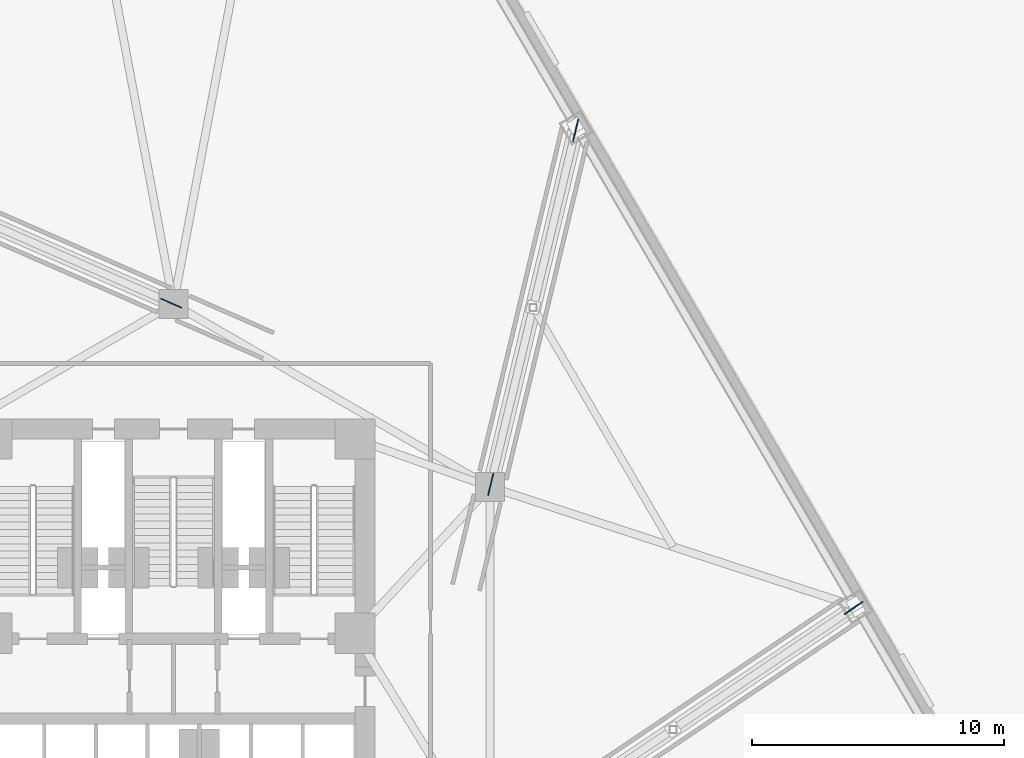
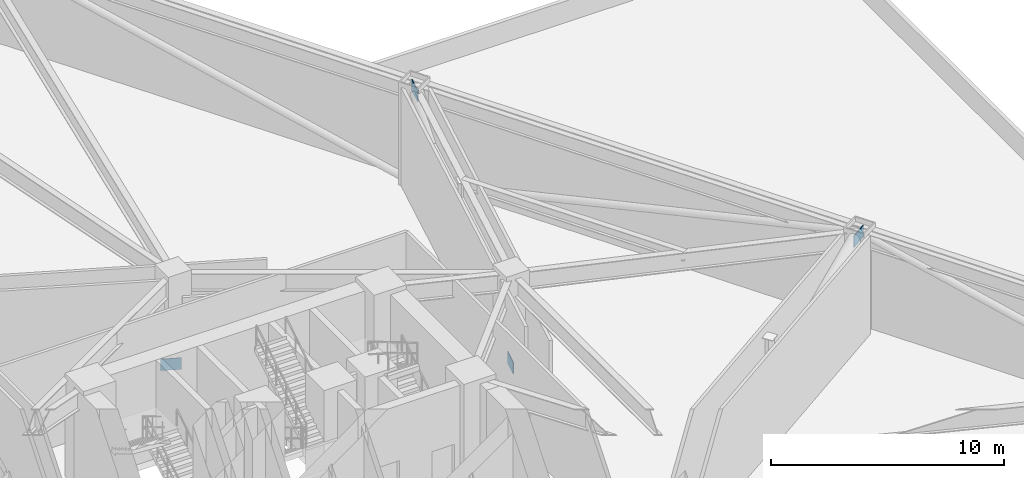
# One storey, part 12 of 23: 4 plates.
"""IFC4 building model written with IfcOpenShell, lengths in metres."""

from ifc_helpers import new_model, si_unit, direction, frame, origin, origin_2d, place, context, subcontext, project, spatial, rectangle, extrude, material, layer, layer_set, type_object, element, save


model = new_model("IFC4")

# Units and contexts
model_context = context("Model", 3, precision=1e-05, world=origin(), true_north=direction((0.0, 1.0)))
body_context = subcontext(model_context, "Body", "Model", "MODEL_VIEW")
ifc_project = project(units=[si_unit("LENGTHUNIT", "METRE"), si_unit("AREAUNIT", "SQUARE_METRE"), si_unit("VOLUMEUNIT", "CUBIC_METRE"), si_unit("PLANEANGLEUNIT", "RADIAN"), si_unit("MASSUNIT", "GRAM", prefix="KILO")], contexts=[model_context])

# Site, building, storey
site_placement = place(None, origin())
site = spatial("IfcSite", under=ifc_project, at=site_placement, CompositionType="ELEMENT")
building_placement = place(site_placement, origin())
building = spatial("IfcBuilding", under=site, at=building_placement, Name="Apsidion Concourse Tower", CompositionType="ELEMENT")
storey_placement = place(building_placement, frame((0.0, 0.0, 29.0)))
storey = spatial("IfcBuildingStorey", under=building, at=storey_placement, Name="L05", CompositionType="ELEMENT", Elevation=29.0)

# Plates
ifc_material = material(Name="Structural steel ASTM A572 Grade 50", Category="steel")
ifc_layer = layer(ifc_material, 0.0400390625)
ifc_layer_set = layer_set([ifc_layer], Name="Structural steel ASTM A572 Grade 50")
plate_type = type_object("IfcPlateType", Name="PL-GUSSET-40", PredefinedType="SHEET", material=ifc_layer_set)
for number, where, z_axis, x_axis, name in (
    (1, (26.982177734375, 2.450439453125, 4.570068359375), (0.0, 0.0, 1.0), (0.829720136676, 0.558179625922, 0.0), "L05 Outrigger Outer Node Gusset Plate ONB-02"),
    (2, (12.583251953125, 7.34716796875, 0.02001953125), (0.0, 0.0, 1.0), (0.233275649735, 0.97241064949, 0.0), "L05 Outrigger Inner Node Gusset Plate ONA-03"),
    (3, (15.952880859375, 21.396484375, 4.570068359375), (0.0, 0.0, 1.0), (0.233275649735, 0.97241064949, 0.0), "L05 Outrigger Outer Node Gusset Plate ONB-03"),
    (4, (-0.091552734375, 14.5400390625, 0.02001953125), (0.0, 0.0, 1.0), (-0.916083009922, 0.400988676813, 0.0), "L05 Outrigger Inner Node Gusset Plate ONA-04"),
):
    element("IfcPlate", number, at=place(storey_placement, frame(where, z_axis=z_axis, x_axis=x_axis)), inside=storey, type_object=plate_type, Name=name, PredefinedType="SHEET", context=body_context, shape_type="SweptSolid", body=[
        extrude(rectangle(XDim=0.89990234375, YDim=0.0400390625, at=origin_2d()), origin(), (0.0, 0.0, 1.0), 0.60009765625),
    ])

save(model, "model.ifc")
